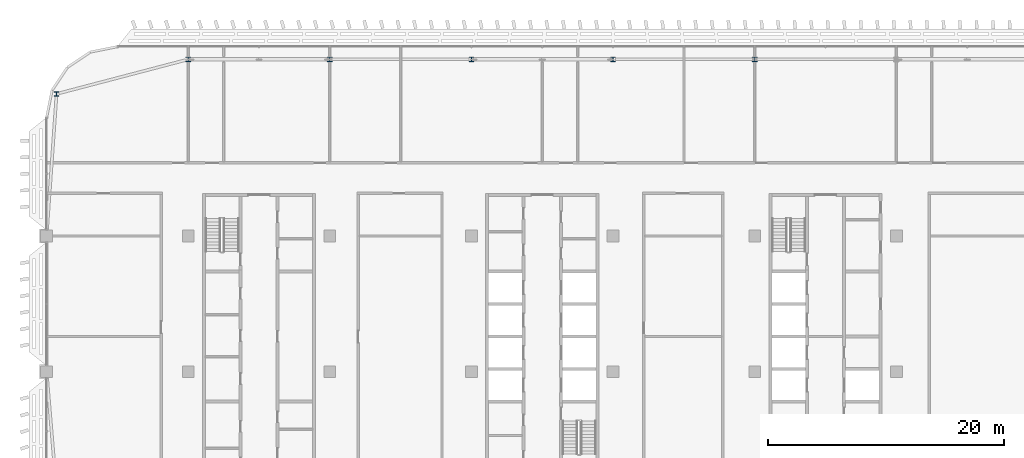
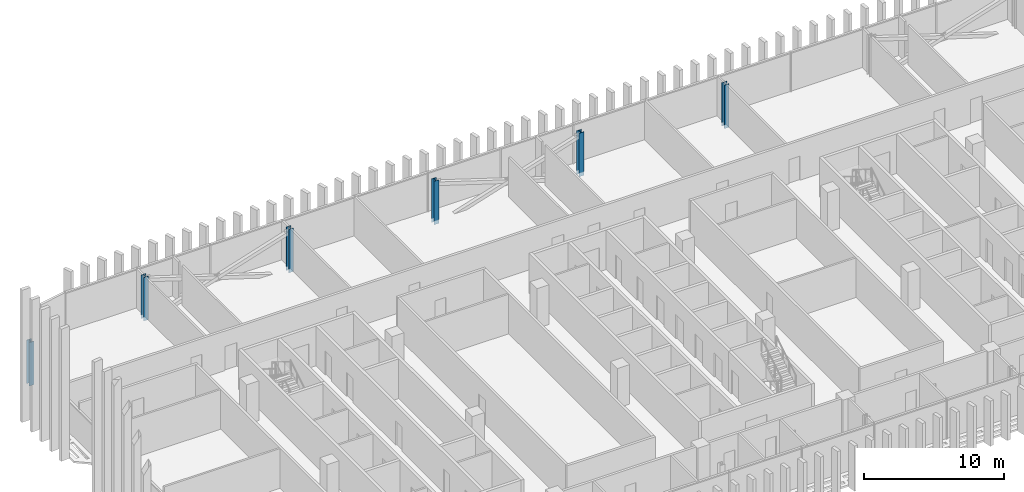
# One storey, part 3 of 32: 6 columns.
"""IFC4 building model written with IfcOpenShell, lengths in metres."""

import ifcopenshell
import ifcopenshell.guid

model = None  # the IFC model being written
_history = None  # IfcOwnerHistory: only IFC2X3 demands one
_inside = {}  # id of a spatial element -> (the spatial element, [elements in it])
_under = {}  # id of a project, library or spatial element -> (it, [spatial elements below it])
_declared = {}  # id of a project -> (the project, [libraries it declares])
_typed = {}  # id of a type object -> (the type object, [elements of that type])
_made_of = {}  # id of a material, layer set ... -> (it, [elements and type objects made of it])


def new_model(schema):
    """Start an empty IFC model of exactly this schema.

    Asked for "IFC4X3", IfcOpenShell would pick the latest addendum, in which some entities
    have other attributes; the version numbers below select the first issue.
    IFC2X3 requires an IfcOwnerHistory on every rooted entity: one is made here for all.
    """
    global model, _history
    if schema == "IFC4X3":
        model = ifcopenshell.file(schema_version=(4, 3, 0, 0))
    else:
        model = ifcopenshell.file(schema=schema)
    _inside.clear()
    _under.clear()
    _declared.clear()
    _typed.clear()
    _made_of.clear()
    _history = None
    if model.schema == "IFC2X3":
        org = make("IfcOrganization", Name="unknown")
        user = make(
            "IfcPersonAndOrganization",
            ThePerson=make("IfcPerson", FamilyName="unknown"),
            TheOrganization=org,
        )
        app = make(
            "IfcApplication",
            ApplicationDeveloper=org,
            Version="unknown",
            ApplicationFullName="unknown",
            ApplicationIdentifier="unknown",
        )
        _history = make(
            "IfcOwnerHistory",
            OwningUser=user,
            OwningApplication=app,
            ChangeAction="ADDED",
            CreationDate=0,
        )
    return model


def make(cls, **values):
    """One entity of the class cls with the attributes given. An attribute that is None is left unset."""
    return model.create_entity(
        cls, **{name: value for name, value in values.items() if value is not None}
    )


def rooted(cls, **values):
    """An entity with a GlobalId (a new one), such as an element, a storey or a relation."""
    return make(cls, GlobalId=ifcopenshell.guid.new(), OwnerHistory=_history, **values)


def si_unit(unit_type, name, prefix=None):
    """IfcSIUnit, for example si_unit("LENGTHUNIT", "METRE", prefix="MILLI")."""
    return make("IfcSIUnit", UnitType=unit_type, Prefix=prefix, Name=name)


def assignment(units):
    """IfcUnitAssignment: the units of a project."""
    return None if units is None else make("IfcUnitAssignment", Units=units)


def point(xyz):
    """IfcCartesianPoint."""
    return None if xyz is None else make("IfcCartesianPoint", Coordinates=xyz)


def direction(xyz):
    """IfcDirection."""
    return None if xyz is None else make("IfcDirection", DirectionRatios=xyz)


def frame(location, z_axis=None, x_axis=None):
    """IfcAxis2Placement3D, a coordinate frame: its origin and axes. An axis left out is left unset."""
    return make(
        "IfcAxis2Placement3D",
        Location=point(location),
        Axis=direction(z_axis),
        RefDirection=direction(x_axis),
    )


def frame_2d(location, x_axis=None):
    """IfcAxis2Placement2D, a coordinate frame in the plane: its origin and x axis."""
    return make(
        "IfcAxis2Placement2D", Location=point(location), RefDirection=direction(x_axis)
    )


def origin():
    """The frame at (0, 0, 0) with its axes left unset."""
    return frame((0.0, 0.0, 0.0))


def origin_2d():
    """The frame at (0, 0) in the plane with its x axis left unset."""
    return frame_2d((0.0, 0.0))


def place(relative_to, where):
    """IfcLocalPlacement: puts the frame where relative to a parent placement (None: the world)."""
    return make(
        "IfcLocalPlacement", PlacementRelTo=relative_to, RelativePlacement=where
    )


def context(
    kind, dimensions, precision=None, world=None, true_north=None, identifier=None
):
    """IfcGeometricRepresentationContext, for example the 3D "Model" context."""
    return make(
        "IfcGeometricRepresentationContext",
        ContextIdentifier=identifier,
        ContextType=kind,
        CoordinateSpaceDimension=dimensions,
        Precision=precision,
        WorldCoordinateSystem=world,
        TrueNorth=true_north,
    )


def subcontext(parent, identifier, kind, view, scale=None):
    """IfcGeometricRepresentationSubContext, for example "Body" below "Model"."""
    return make(
        "IfcGeometricRepresentationSubContext",
        ContextIdentifier=identifier,
        ContextType=kind,
        ParentContext=parent,
        TargetScale=scale,
        TargetView=view,
    )


def project(units=None, contexts=None):
    """IfcProject with its units and contexts."""
    return rooted(
        "IfcProject",
        Name="project",
        RepresentationContexts=contexts,
        UnitsInContext=assignment(units),
    )


def spatial(cls, under=None, at=None, **own):
    """A site, building, storey or space (cls), placed at a placement, below another one or the project."""
    s = rooted(cls, ObjectPlacement=at, **own)
    if under is not None:
        _under.setdefault(under.id(), (under, []))[1].append(s)
    return s


def profile(cls, at=None, kind="AREA", **sizes):
    """A parametric profile (cls). Its sizes go by their IFC names, for example OverallWidth=200.0."""
    return make(cls, ProfileType=kind, Position=at, **sizes)


def i_section(**sizes):
    """IfcIShapeProfileDef."""
    return profile("IfcIShapeProfileDef", **sizes)


def extrude(swept, where, along, depth):
    """IfcExtrudedAreaSolid: the profile swept, set in the frame where, extruded along a direction by depth."""
    return make(
        "IfcExtrudedAreaSolid",
        SweptArea=swept,
        Position=where,
        ExtrudedDirection=direction(along),
        Depth=depth,
    )


def shape(context_of_items, identifier, shape_type, items):
    """IfcShapeRepresentation: the items that make up one representation, for example the "Body"."""
    return make(
        "IfcShapeRepresentation",
        ContextOfItems=context_of_items,
        RepresentationIdentifier=identifier,
        RepresentationType=shape_type,
        Items=items,
    )


def material(Name=None, Category=None):
    """IfcMaterial."""
    return make("IfcMaterial", Name=Name, Category=Category)


def material_profile(
    of_material, cross_section, Name=None, Category=None, Priority=None
):
    """IfcMaterialProfile: a cross section and its material."""
    return make(
        "IfcMaterialProfile",
        Name=Name,
        Material=of_material,
        Profile=cross_section,
        Priority=Priority,
        Category=Category,
    )


def profile_set(profiles, Name=None, composite=None):
    """IfcMaterialProfileSet."""
    return make(
        "IfcMaterialProfileSet",
        Name=Name,
        MaterialProfiles=profiles,
        CompositeProfile=composite,
    )


def made_of(thing, what):
    """Note that an element or type object is made of a material, layer set ...; save() writes the relation."""
    if what is not None:
        _made_of.setdefault(what.id(), (what, []))[1].append(thing)
    return thing


def type_object(cls, material=None, **own):
    """A type object (cls), such as IfcWallType, which elements share."""
    return made_of(rooted(cls, **own), material)


def element(
    cls,
    number,
    at=None,
    inside=None,
    cuts=None,
    type_object=None,
    material=None,
    context=None,
    identifier="Body",
    shape_type=None,
    held_by="IfcProductDefinitionShape",
    body=None,
    shapes=None,
    **own,
):
    """One element of the class cls, such as IfcWall. Its Tag is "e" and its number.

    at: its placement. inside: the storey or other place that contains it. cuts: it is an
    opening in that element (IfcRelVoidsElement). A single representation is given by context,
    identifier, shape_type and body (its items); several are given by shapes. held_by: the class
    of the entity that holds the representations. save() writes the other relations.
    """
    e = rooted(cls, Tag="e%d" % number, ObjectPlacement=at, **own)
    if body is not None:
        shapes = [shape(context, identifier, shape_type, body)]
    if shapes is not None:
        e.Representation = make(held_by, Representations=shapes)
    if inside is not None:
        _inside.setdefault(inside.id(), (inside, []))[1].append(e)
    if cuts is not None:
        rooted(
            "IfcRelVoidsElement", RelatingBuildingElement=cuts, RelatedOpeningElement=e
        )
    if type_object is not None:
        _typed.setdefault(type_object.id(), (type_object, []))[1].append(e)
    return made_of(e, material)


def aggregate(whole, parts):
    """IfcRelAggregates: a whole, such as a stair, and the parts it consists of."""
    return rooted("IfcRelAggregates", RelatingObject=whole, RelatedObjects=parts)


def save(model, path):
    """Write the relations noted so far, then the file.

    IfcRelAggregates (storeys below a building ...), IfcRelContainedInSpatialStructure (elements
    in a storey), IfcRelDefinesByType, IfcRelAssociatesMaterial and IfcRelDeclares: one each for
    every whole, place, type object, material and project.
    """
    for whole, parts in _under.values():
        aggregate(whole, parts)
    for where, things in _inside.values():
        rooted(
            "IfcRelContainedInSpatialStructure",
            RelatedElements=things,
            RelatingStructure=where,
        )
    for kind, things in _typed.values():
        rooted("IfcRelDefinesByType", RelatedObjects=things, RelatingType=kind)
    for what, things in _made_of.values():
        rooted("IfcRelAssociatesMaterial", RelatedObjects=things, RelatingMaterial=what)
    for by, libraries in _declared.values():
        rooted("IfcRelDeclares", RelatingContext=by, RelatedDefinitions=libraries)
    model.write(path)


model = new_model("IFC4")

# Units and contexts
model_context = context("Model", 3, precision=1e-05, world=origin(), true_north=direction((0.0, 1.0)))
body_context = subcontext(model_context, "Body", "Model", "MODEL_VIEW")
ifc_project = project(units=[si_unit("LENGTHUNIT", "METRE"), si_unit("AREAUNIT", "SQUARE_METRE"), si_unit("VOLUMEUNIT", "CUBIC_METRE"), si_unit("PLANEANGLEUNIT", "RADIAN"), si_unit("MASSUNIT", "GRAM", prefix="KILO")], contexts=[model_context])

# Site, building, storey
site_placement = place(None, origin())
site = spatial("IfcSite", under=ifc_project, at=site_placement, CompositionType="ELEMENT")
building_placement = place(site_placement, origin())
building = spatial("IfcBuilding", under=site, at=building_placement, Name="Mahtab Terrace Research Tower", CompositionType="ELEMENT")
storey_placement = place(building_placement, frame((0.0, 0.0, 243.800048828125)))
storey = spatial("IfcBuildingStorey", under=building, at=storey_placement, Name="L59", CompositionType="ELEMENT", Elevation=243.800048828125)

# Columns
ifc_material = material(Name="Steel ASTM A992 Gr 50", Category="steel")
ifc_material_profile = material_profile(ifc_material, i_section(OverallWidth=0.398681640625, OverallDepth=0.385986328125, WebThickness=0.02099609375, FlangeThickness=0.033203125, at=origin_2d()), Name="W14X176")
ifc_profile_set = profile_set([ifc_material_profile], Name="Steel ASTM A992 Gr 50")
column_type = type_object("IfcColumnType", Name="W14x176 column CS14176", PredefinedType="COLUMN", material=ifc_profile_set)
for number, where, z_axis, x_axis, name in (
    (1, (18.0, 26.472900390625, -0.340087890625), (0.0, 0.0, 1.0), (1.0, 0.0, 0.0), "Column SC-055 L59"),
    (2, (6.0, 26.472900390625, -0.340087890625), (0.0, 0.0, 1.0), (1.0, 0.0, 0.0), "Column SC-056 L59"),
    (3, (-6.0, 26.472900390625, -0.340087890625), (0.0, 0.0, 1.0), (1.0, 0.0, 0.0), "Column SC-057 L59"),
    (4, (-18.0, 26.472900390625, -0.340087890625), (0.0, 0.0, 1.0), (1.0, 0.0, 0.0), "Column SC-058 L59"),
    (5, (-30.0, 26.472900390625, -0.340087890625), (0.0, 0.0, 1.0), (1.0, 0.0, 0.0), "Column SC-059 L59"),
    (6, (-41.154052734375, 23.5458984375, -0.340087890625), (0.0, 0.0, 1.0), (1.0, 0.0, 0.0), "Column SC-060 L59"),
):
    element("IfcColumn", number, at=place(storey_placement, frame(where, z_axis=z_axis, x_axis=x_axis)), inside=storey, type_object=column_type, Name=name, PredefinedType="COLUMN", context=body_context, shape_type="SweptSolid", body=[
        extrude(i_section(OverallWidth=0.398681640625, OverallDepth=0.385986328125, WebThickness=0.02099609375, FlangeThickness=0.033203125, at=origin_2d()), origin(), (0.0, 0.0, 1.0), 3.800048828125),
    ])

save(model, "model.ifc")
